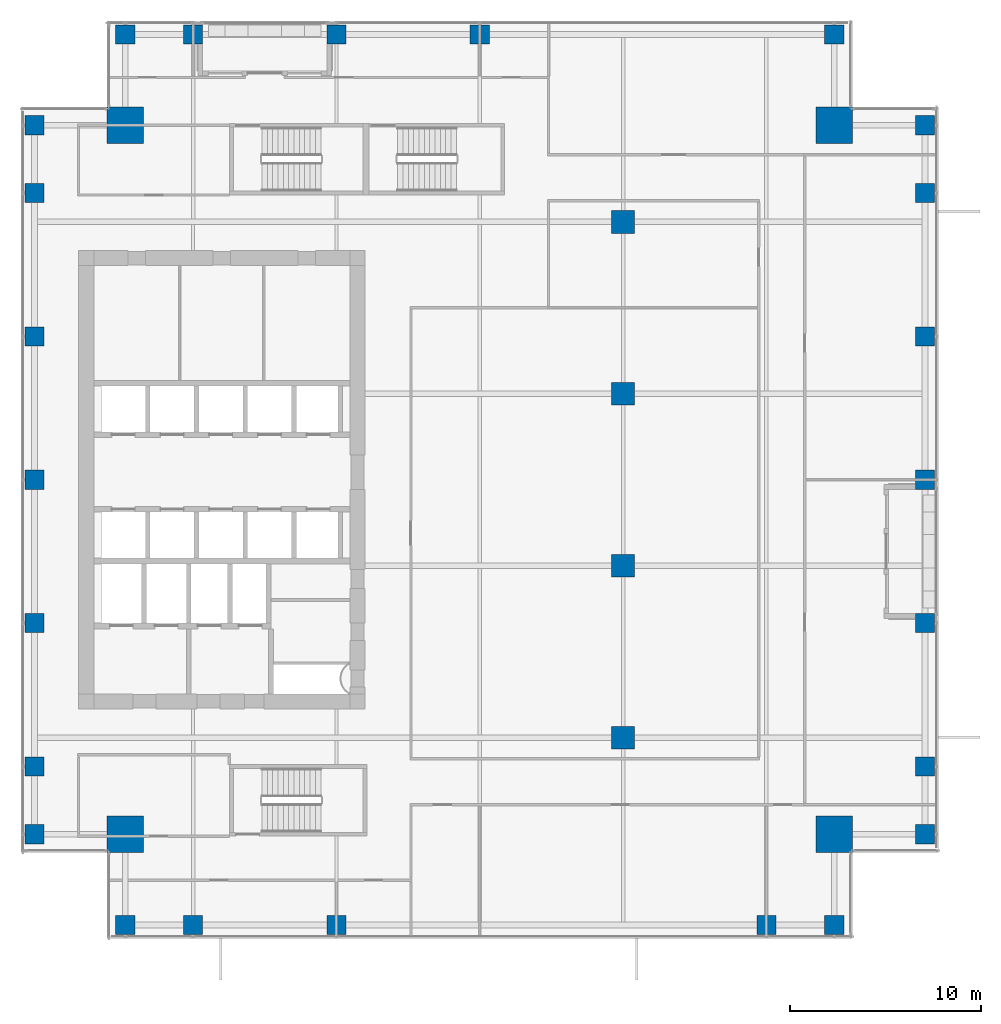
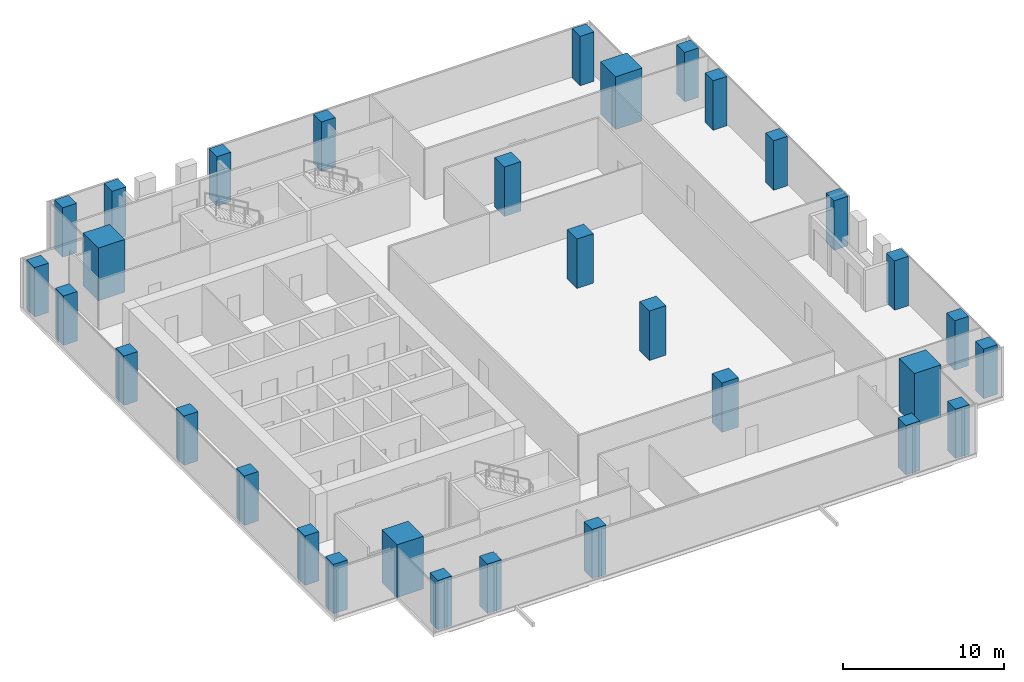
# One storey, part 1 of 40: 32 columns.
"""IFC4 building model written with IfcOpenShell, lengths in metres."""

from ifc_helpers import new_model, si_unit, direction, frame, origin, origin_2d, place, context, subcontext, project, spatial, rectangle, extrude, source, transform, mapped, material, material_profile, profile_set, type_object, element, save


model = new_model("IFC4")

# Units and contexts
model_context = context("Model", 3, precision=1e-05, world=origin(), true_north=direction((0.0, 1.0)))
body_context = subcontext(model_context, "Body", "Model", "MODEL_VIEW")
ifc_project = project(units=[si_unit("LENGTHUNIT", "METRE"), si_unit("AREAUNIT", "SQUARE_METRE"), si_unit("VOLUMEUNIT", "CUBIC_METRE"), si_unit("PLANEANGLEUNIT", "RADIAN"), si_unit("MASSUNIT", "GRAM", prefix="KILO")], contexts=[model_context])

# Site, building, storey
site_placement = place(None, origin())
site = spatial("IfcSite", under=ifc_project, at=site_placement, CompositionType="ELEMENT")
building_placement = place(site_placement, origin())
building = spatial("IfcBuilding", under=site, at=building_placement, Name="Khomas Fold Tower", CompositionType="ELEMENT")
storey_placement = place(building_placement, frame((0.0, 0.0, 204.699951171875)))
storey = spatial("IfcBuildingStorey", under=building, at=storey_placement, Name="L45", CompositionType="ELEMENT", Elevation=204.699951171875)

# Columns
ifc_material_1 = material(Name="Concrete C60/75", Category="concrete")
ifc_material_profile_1 = material_profile(ifc_material_1, rectangle(XDim=1.89990234375, YDim=1.89990234375, at=origin_2d()), Name="RC 1900x1900")
ifc_profile_set_1 = profile_set([ifc_material_profile_1], Name="Concrete C60/75")
column_type_1 = type_object("IfcColumnType", Name="RC 1900x1900 column", PredefinedType="COLUMN", material=ifc_profile_set_1)
shared_shape_1 = source(origin(), body_context, "Body", "SweptSolid", [
    extrude(rectangle(XDim=1.89990234375, YDim=1.89990234375, at=origin_2d()), origin(), (0.0, 0.0, 1.0), 4.0),
])
for number, where, z_axis, x_axis, name in (
    (1, (45.550048828125, 45.550048828125, 0.0), (0.0, 0.0, 1.0), (1.0, 0.0, 0.0), "CM-NE"),
    (2, (8.449951171875, 45.550048828125, 0.0), (0.0, 0.0, 1.0), (1.0, 0.0, 0.0), "CM-NW"),
    (3, (45.550048828125, 8.449951171875, 0.0), (0.0, 0.0, 1.0), (1.0, 0.0, 0.0), "CM-SE"),
    (4, (8.449951171875, 8.449951171875, 0.0), (0.0, 0.0, 1.0), (1.0, 0.0, 0.0), "CM-SW"),
):
    element("IfcColumn", number, at=place(storey_placement, frame(where, z_axis=z_axis, x_axis=x_axis)), inside=storey, type_object=column_type_1, Name=name, PredefinedType="COLUMN", context=body_context, shape_type="MappedRepresentation", body=[
        mapped(shared_shape_1, transform((0.0, 0.0, 0.0))),
    ])
ifc_material_2 = material(Name="Concrete C50/60", Category="concrete")
ifc_material_profile_2 = material_profile(ifc_material_2, rectangle(XDim=1.0, YDim=1.0, at=origin_2d()), Name="RC 1000x1000")
ifc_profile_set_2 = profile_set([ifc_material_profile_2], Name="Concrete C50/60")
column_type_2 = type_object("IfcColumnType", Name="RC 1000x1000 column", PredefinedType="COLUMN", material=ifc_profile_set_2)
shared_shape_2 = source(origin(), body_context, "Body", "SweptSolid", [
    extrude(rectangle(XDim=1.0, YDim=1.0, at=origin_2d()), origin(), (0.0, 0.0, 1.0), 3.75),
])
for number, where, z_axis, x_axis, name in (
    (5, (8.449951171875, 3.699951171875, 0.0), (0.0, 0.0, 1.0), (1.0, 0.0, 0.0), "C-4-SF3"),
    (6, (12.0, 3.699951171875, 0.0), (0.0, 0.0, 1.0), (1.0, 0.0, 0.0), "C-6-SF3"),
    (7, (19.5, 3.699951171875, 0.0), (0.0, 0.0, 1.0), (1.0, 0.0, 0.0), "C-8-SF3"),
    (8, (42.0, 3.699951171875, 0.0), (0.0, 0.0, 1.0), (1.0, 0.0, 0.0), "C-13-SF3"),
    (9, (45.550048828125, 3.699951171875, 0.0), (0.0, 0.0, 1.0), (1.0, 0.0, 0.0), "C-15-SF3"),
    (10, (50.300048828125, 8.449951171875, 0.0), (0.0, 0.0, 1.0), (1.0, 0.0, 0.0), "C-E3-D"),
    (11, (50.300048828125, 12.0, 0.0), (0.0, 0.0, 1.0), (1.0, 0.0, 0.0), "C-E3-F"),
    (12, (50.300048828125, 19.5, 0.0), (0.0, 0.0, 1.0), (1.0, 0.0, 0.0), "C-E3-J"),
    (13, (50.300048828125, 27.0, 0.0), (0.0, 0.0, 1.0), (1.0, 0.0, 0.0), "C-E3-L"),
    (14, (50.300048828125, 34.5, 0.0), (0.0, 0.0, 1.0), (1.0, 0.0, 0.0), "C-E3-N"),
    (15, (50.300048828125, 42.0, 0.0), (0.0, 0.0, 1.0), (1.0, 0.0, 0.0), "C-E3-R"),
    (16, (50.300048828125, 45.550048828125, 0.0), (0.0, 0.0, 1.0), (1.0, 0.0, 0.0), "C-E3-T"),
    (17, (8.449951171875, 50.300048828125, 0.0), (0.0, 0.0, 1.0), (1.0, 0.0, 0.0), "C-4-NF3"),
    (18, (12.0, 50.300048828125, 0.0), (0.0, 0.0, 1.0), (1.0, 0.0, 0.0), "C-6-NF3"),
    (19, (19.5, 50.300048828125, 0.0), (0.0, 0.0, 1.0), (1.0, 0.0, 0.0), "C-8-NF3"),
    (20, (27.0, 50.300048828125, 0.0), (0.0, 0.0, 1.0), (1.0, 0.0, 0.0), "C-9-NF3"),
    (21, (45.550048828125, 50.300048828125, 0.0), (0.0, 0.0, 1.0), (1.0, 0.0, 0.0), "C-15-NF3"),
    (22, (3.699951171875, 8.449951171875, 0.0), (0.0, 0.0, 1.0), (1.0, 0.0, 0.0), "C-W3-D"),
    (23, (3.699951171875, 12.0, 0.0), (0.0, 0.0, 1.0), (1.0, 0.0, 0.0), "C-W3-F"),
    (24, (3.699951171875, 19.5, 0.0), (0.0, 0.0, 1.0), (1.0, 0.0, 0.0), "C-W3-J"),
    (25, (3.699951171875, 27.0, 0.0), (0.0, 0.0, 1.0), (1.0, 0.0, 0.0), "C-W3-L"),
    (26, (3.699951171875, 34.5, 0.0), (0.0, 0.0, 1.0), (1.0, 0.0, 0.0), "C-W3-N"),
    (27, (3.699951171875, 42.0, 0.0), (0.0, 0.0, 1.0), (1.0, 0.0, 0.0), "C-W3-R"),
    (28, (3.699951171875, 45.550048828125, 0.0), (0.0, 0.0, 1.0), (1.0, 0.0, 0.0), "C-W3-T"),
):
    element("IfcColumn", number, at=place(storey_placement, frame(where, z_axis=z_axis, x_axis=x_axis)), inside=storey, type_object=column_type_2, Name=name, PredefinedType="COLUMN", context=body_context, shape_type="MappedRepresentation", body=[
        mapped(shared_shape_2, transform((0.0, 0.0, 0.0))),
    ])
ifc_material_3 = material(Name="Concrete C60/75", Category="concrete")
ifc_material_profile_3 = material_profile(ifc_material_3, rectangle(XDim=1.199951171875, YDim=1.199951171875, at=origin_2d()), Name="RC 1200x1200")
ifc_profile_set_3 = profile_set([ifc_material_profile_3], Name="Concrete C60/75")
column_type_3 = type_object("IfcColumnType", Name="RC 1200x1200 column", PredefinedType="COLUMN", material=ifc_profile_set_3)
shared_shape_3 = source(origin(), body_context, "Body", "SweptSolid", [
    extrude(rectangle(XDim=1.199951171875, YDim=1.199951171875, at=origin_2d()), origin(), (0.0, 0.0, 1.0), 3.75),
])
for number, where, z_axis, x_axis, name in (
    (29, (34.5, 13.5, 0.0), (0.0, 0.0, 1.0), (1.0, 0.0, 0.0), "C-10-H"),
    (30, (34.5, 22.5, 0.0), (0.0, 0.0, 1.0), (1.0, 0.0, 0.0), "C-10-K"),
    (31, (34.5, 31.5, 0.0), (0.0, 0.0, 1.0), (1.0, 0.0, 0.0), "C-10-M"),
    (32, (34.5, 40.5, 0.0), (0.0, 0.0, 1.0), (1.0, 0.0, 0.0), "C-10-P"),
):
    element("IfcColumn", number, at=place(storey_placement, frame(where, z_axis=z_axis, x_axis=x_axis)), inside=storey, type_object=column_type_3, Name=name, PredefinedType="COLUMN", context=body_context, shape_type="MappedRepresentation", body=[
        mapped(shared_shape_3, transform((0.0, 0.0, 0.0))),
    ])

save(model, "model.ifc")
